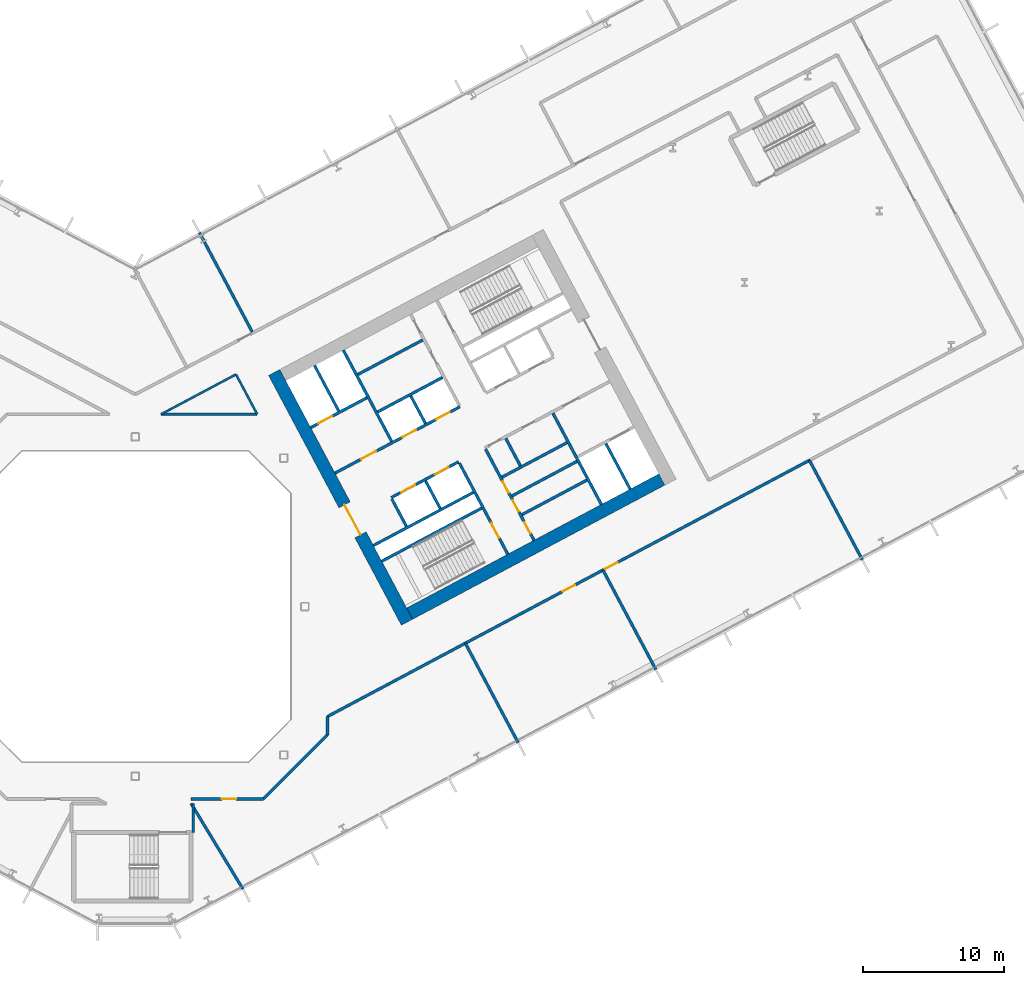
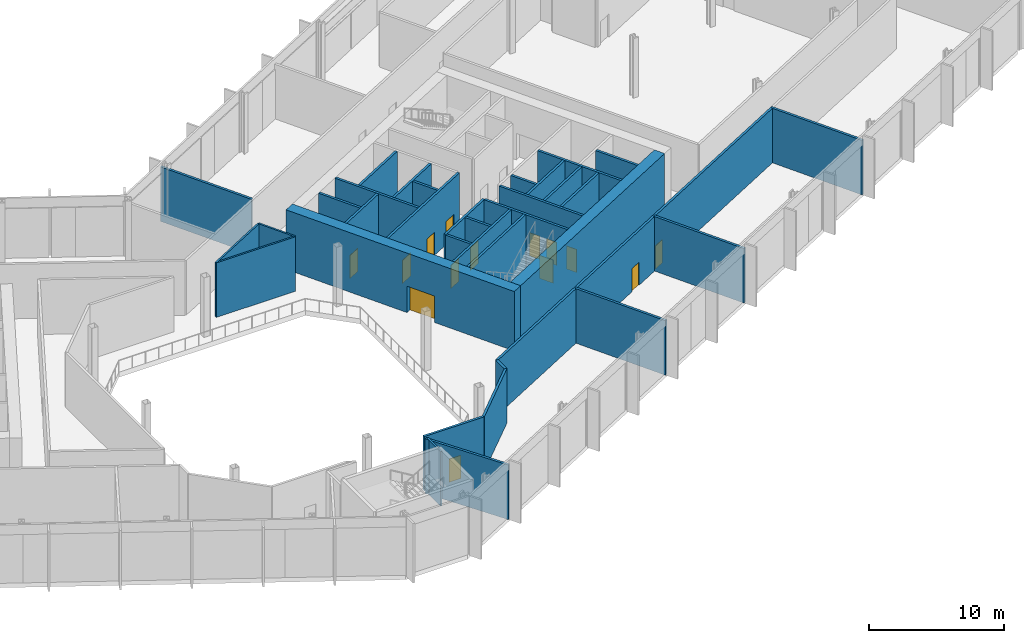
# One storey, part 15 of 31: 35 walls, 14 doors, 14 openings.
"""IFC4 building model written with IfcOpenShell, lengths in metres."""

from ifc_helpers import new_model, si_unit, direction, frame, frame_2d, origin, place, context, subcontext, project, spatial, rectangle, extrude, material, layer, layer_set, type_object, element, fill, save


model = new_model("IFC4")

# Units and contexts
model_context = context("Model", 3, precision=1e-05, world=origin(), true_north=direction((0.0, 1.0)))
body_context = subcontext(model_context, "Body", "Model", "MODEL_VIEW")
ifc_project = project(units=[si_unit("LENGTHUNIT", "METRE"), si_unit("AREAUNIT", "SQUARE_METRE"), si_unit("VOLUMEUNIT", "CUBIC_METRE"), si_unit("PLANEANGLEUNIT", "RADIAN"), si_unit("MASSUNIT", "GRAM", prefix="KILO")], contexts=[model_context])

# Site, building, storey
site_placement = place(None, origin())
site = spatial("IfcSite", under=ifc_project, at=site_placement, CompositionType="ELEMENT")
building_placement = place(site_placement, origin())
building = spatial("IfcBuilding", under=site, at=building_placement, Name="Cormorant Relay Tower", CompositionType="ELEMENT")
storey_placement = place(building_placement, frame((0.0, 0.0, 23.0)))
storey = spatial("IfcBuildingStorey", under=building, at=storey_placement, Name="L04", CompositionType="ELEMENT", Elevation=23.0)

# Walls
ifc_material_1 = material(Name="Concrete 40 MPa", Category="concrete")
ifc_layer_1 = layer(ifc_material_1, 0.199951171875)
ifc_layer_set_1 = layer_set([ifc_layer_1], Name="Core internal wall 200")
wall_type_1 = type_object("IfcWallType", Name="Core internal wall 200", PredefinedType="SOLIDWALL", material=ifc_layer_set_1)
for number, where, z_axis, x_axis, name in (
    (1, (21.567626953125, 6.9375, 0.0), (0.0, 0.0, 1.0), (-0.469533832133, 0.882914480843, 0.0), "L04 core B shaft and room wall"),
    (2, (20.522216796875, 12.950439453125, 0.0), (0.0, 0.0, 1.0), (-0.469401318492, 0.882984938828, 0.0), "L04 core B shaft and room wall"),
    (3, (27.236083984375, 9.951416015625, 0.0), (0.0, 0.0, 1.0), (-0.4694473164, 0.882960484464, 0.0), "L04 core B shaft and room wall"),
):
    element("IfcWall", number, at=place(storey_placement, frame(where, z_axis=z_axis, x_axis=x_axis)), inside=storey, type_object=wall_type_1, Name=name, PredefinedType="SOLIDWALL", context=body_context, shape_type="SweptSolid", body=[
        extrude(rectangle(XDim=2.199951171875, YDim=0.199951171875, at=frame_2d((1.10009765625, 0.0))), origin(), (0.0, 0.0, 1.0), 5.39990234375),
    ])
for number, where, z_axis, x_axis, name in (
    (4, (27.349365234375, 6.500732421875, 0.0), (0.0, 0.0, 1.0), (0.882953967957, 0.469459572775, 0.0), "L04 core B shaft and room wall"),
    (5, (26.645263671875, 7.8251953125, 0.0), (0.0, 0.0, 1.0), (0.882953967957, 0.469459572775, 0.0), "L04 core B shaft and room wall"),
    (6, (15.738525390625, 16.409423828125, 0.0), (0.0, 0.0, 1.0), (0.882934506056, 0.469496174655, 0.0), "L04 core B shaft and room wall"),
):
    element("IfcWall", number, at=place(storey_placement, frame(where, z_axis=z_axis, x_axis=x_axis)), inside=storey, type_object=wall_type_1, Name=name, PredefinedType="SOLIDWALL", context=body_context, shape_type="SweptSolid", body=[
        extrude(rectangle(XDim=5.199951171875, YDim=0.199951171875, at=frame_2d((2.60009765625, 0.0))), origin(), (0.0, 0.0, 1.0), 5.39990234375),
    ])
ifc_material_2 = material(Name="Concrete 50 MPa", Category="concrete")
ifc_layer_2 = layer(ifc_material_2, 0.199951171875)
ifc_layer_set_2 = layer_set([ifc_layer_2], Name="Core shaft wall 200")
wall_type_2 = type_object("IfcWallType", Name="Core shaft wall 200", PredefinedType="SHEAR", material=ifc_layer_set_2)
wall_1_placement = place(storey_placement, frame((14.39404296875, 13.825927734375, 0.0), z_axis=(0.0, 0.0, 1.0), x_axis=(-0.469494272526, 0.882935517501, 0.0)))
element("IfcWall", 7, at=wall_1_placement, inside=storey, type_object=wall_type_2, Name="L04 core B shaft wall", PredefinedType="SHEAR", context=body_context, shape_type="SweptSolid", body=[
    extrude(rectangle(XDim=3.64990234375, YDim=0.199951171875, at=frame_2d((1.824951171875, 0.0))), origin(), (0.0, 0.0, 1.0), 5.39990234375),
])
wall_2_placement = place(storey_placement, frame((19.18359375, 5.669921875, 0.0), z_axis=(0.0, 0.0, 1.0), x_axis=(-0.4694473164, 0.882960484464, 0.0)))
element("IfcWall", 8, at=wall_2_placement, inside=storey, type_object=wall_type_2, Name="L04 core B shaft wall", PredefinedType="SHEAR", context=body_context, shape_type="SweptSolid", body=[
    extrude(rectangle(XDim=2.199951171875, YDim=0.199951171875, at=frame_2d((1.10009765625, 0.0))), origin(), (0.0, 0.0, 1.0), 5.39990234375),
])
wall_3_placement = place(storey_placement, frame((18.138427734375, 11.682861328125, 0.0), z_axis=(0.0, 0.0, 1.0), x_axis=(-0.469480409012, 0.88294288918, 0.0)))
element("IfcWall", 9, at=wall_3_placement, inside=storey, type_object=wall_type_2, Name="L04 core B shaft wall", PredefinedType="SHEAR", context=body_context, shape_type="SweptSolid", body=[
    extrude(rectangle(XDim=7.300048828125, YDim=0.199951171875, at=frame_2d((3.64990234375, 0.0))), origin(), (0.0, 0.0, 1.0), 5.39990234375),
])

# Wall, opening, door
wall_4_placement = place(storey_placement, frame((26.345947265625, 3.701904296875, 0.0), z_axis=(0.0, 0.0, 1.0), x_axis=(-0.469480409012, 0.88294288918, 0.0)))
wall_4 = element("IfcWall", 10, at=wall_4_placement, inside=storey, type_object=wall_type_2, Name="L04 core B shaft wall", PredefinedType="SHEAR", context=body_context, shape_type="SweptSolid", body=[
    extrude(rectangle(XDim=7.300048828125, YDim=0.199951171875, at=frame_2d((3.64990234375, 0.0))), origin(), (0.0, 0.0, 1.0), 5.39990234375),
])
opening_1_placement = place(wall_4_placement, frame((1.300048828125, 0.0, 0.0)))
opening_1 = element("IfcOpeningElement", 11, at=opening_1_placement, cuts=wall_4, Name="Opening CDB-021", PredefinedType="OPENING", context=body_context, shape_type="SweptSolid", body=[
    extrude(rectangle(XDim=1.199951171875, YDim=2.10009765625, at=frame_2d((0.60009765625, 1.050048828125))), frame((0.0, 0.10986328125, 0.0), z_axis=(0.0, -1.0, 0.0), x_axis=(1.0, 0.0, 0.0)), (0.0, 0.0, 1.0), 0.219970703125),
])
ifc_material_3 = material(Name="Steel fire door", Category="steel")
door_type_1 = type_object("IfcDoorType", Name="Core stair door 1200x2100", OperationType="SINGLE_SWING_LEFT", PredefinedType="DOOR", material=ifc_material_3)
door_1_placement = place(opening_1_placement, origin())
door_1 = element("IfcDoor", 12, at=door_1_placement, inside=storey, type_object=door_type_1, Name="Core stair door 1200x2100", OperationType="SINGLE_SWING_RIGHT", OverallHeight=2.10009765625, OverallWidth=1.199951171875, PredefinedType="DOOR", context=body_context, shape_type="SweptSolid", body=[
    extrude(rectangle(XDim=1.199951171875, YDim=2.10009765625, at=frame_2d((0.60009765625, 1.050048828125))), frame((0.0, 0.02490234375, 0.0), z_axis=(0.0, -1.0, 0.0), x_axis=(1.0, 0.0, 0.0)), (0.0, 0.0, 1.0), 0.050048828125),
])
fill(opening_1, door_1)

# Wall, openings, doors
wall_5_placement = place(storey_placement, frame((28.199951171875, 4.687744140625, 0.0), z_axis=(0.0, 0.0, 1.0), x_axis=(-0.469454336211, 0.882956752176, 0.0)))
wall_5 = element("IfcWall", 13, at=wall_5_placement, inside=storey, type_object=wall_type_2, Name="L04 core B shaft wall", PredefinedType="SHEAR", context=body_context, shape_type="SweptSolid", body=[
    extrude(rectangle(XDim=7.300048828125, YDim=0.199951171875, at=frame_2d((3.64990234375, 0.0))), origin(), (0.0, 0.0, 1.0), 5.39990234375),
])
opening_2_placement = place(wall_5_placement, frame((0.550048828125, 0.0, 0.0)))
opening_2 = element("IfcOpeningElement", 14, at=opening_2_placement, cuts=wall_5, Name="Opening CDD-078", PredefinedType="OPENING", context=body_context, shape_type="SweptSolid", body=[
    extrude(rectangle(XDim=0.89990234375, YDim=2.10009765625, at=frame_2d((0.449951171875, 1.050048828125))), frame((0.0, 0.10986328125, 0.0), z_axis=(0.0, -1.0, 0.0), x_axis=(1.0, 0.0, 0.0)), (0.0, 0.0, 1.0), 0.219970703125),
])
opening_3_placement = place(wall_5_placement, frame((2.300048828125, 0.0, 0.0)))
opening_3 = element("IfcOpeningElement", 15, at=opening_3_placement, cuts=wall_5, Name="Opening CDD-079", PredefinedType="OPENING", context=body_context, shape_type="SweptSolid", body=[
    extrude(rectangle(XDim=0.89990234375, YDim=2.10009765625, at=frame_2d((0.449951171875, 1.050048828125))), frame((0.0, 0.10986328125, 0.0), z_axis=(0.0, -1.0, 0.0), x_axis=(1.0, 0.0, 0.0)), (0.0, 0.0, 1.0), 0.219970703125),
])
opening_4_placement = place(wall_5_placement, frame((3.800048828125, 0.0, 0.0)))
opening_4 = element("IfcOpeningElement", 16, at=opening_4_placement, cuts=wall_5, Name="Opening CDD-080", PredefinedType="OPENING", context=body_context, shape_type="SweptSolid", body=[
    extrude(rectangle(XDim=0.89990234375, YDim=2.10009765625, at=frame_2d((0.449951171875, 1.050048828125))), frame((0.0, 0.10986328125, 0.0), z_axis=(0.0, -1.0, 0.0), x_axis=(1.0, 0.0, 0.0)), (0.0, 0.0, 1.0), 0.219970703125),
])
ifc_material_4 = material(Name="Steel fire door", Category="steel")
door_type_2 = type_object("IfcDoorType", Name="Core room door 900x2100", OperationType="SINGLE_SWING_LEFT", PredefinedType="DOOR", material=ifc_material_4)
door_2_placement = place(opening_2_placement, frame((0.89990234375, 0.0, 0.0), z_axis=(0.0, 0.0, 1.0), x_axis=(-1.0, 0.0, 0.0)))
door_2 = element("IfcDoor", 17, at=door_2_placement, inside=storey, type_object=door_type_2, Name="Core room door 900x2100", OperationType="SINGLE_SWING_LEFT", OverallHeight=2.10009765625, OverallWidth=0.89990234375, PredefinedType="DOOR", context=body_context, shape_type="SweptSolid", body=[
    extrude(rectangle(XDim=0.89990234375, YDim=2.10009765625, at=frame_2d((0.449951171875, 1.050048828125))), frame((0.0, 0.02490234375, 0.0), z_axis=(0.0, -1.0, 0.0), x_axis=(1.0, 0.0, 0.0)), (0.0, 0.0, 1.0), 0.050048828125),
])
fill(opening_2, door_2)
door_3_placement = place(opening_3_placement, frame((0.89990234375, 0.0, 0.0), z_axis=(0.0, 0.0, 1.0), x_axis=(-1.0, 0.0, 0.0)))
door_3 = element("IfcDoor", 18, at=door_3_placement, inside=storey, type_object=door_type_2, Name="Core room door 900x2100", OperationType="SINGLE_SWING_LEFT", OverallHeight=2.10009765625, OverallWidth=0.89990234375, PredefinedType="DOOR", context=body_context, shape_type="SweptSolid", body=[
    extrude(rectangle(XDim=0.89990234375, YDim=2.10009765625, at=frame_2d((0.449951171875, 1.050048828125))), frame((0.0, 0.02490234375, 0.0), z_axis=(0.0, -1.0, 0.0), x_axis=(1.0, 0.0, 0.0)), (0.0, 0.0, 1.0), 0.050048828125),
])
fill(opening_3, door_3)
door_4_placement = place(opening_4_placement, frame((0.89990234375, 0.0, 0.0), z_axis=(0.0, 0.0, 1.0), x_axis=(-1.0, 0.0, 0.0)))
door_4 = element("IfcDoor", 19, at=door_4_placement, inside=storey, type_object=door_type_2, Name="Core room door 900x2100", OperationType="SINGLE_SWING_LEFT", OverallHeight=2.10009765625, OverallWidth=0.89990234375, PredefinedType="DOOR", context=body_context, shape_type="SweptSolid", body=[
    extrude(rectangle(XDim=0.89990234375, YDim=2.10009765625, at=frame_2d((0.449951171875, 1.050048828125))), frame((0.0, 0.02490234375, 0.0), z_axis=(0.0, -1.0, 0.0), x_axis=(1.0, 0.0, 0.0)), (0.0, 0.0, 1.0), 0.050048828125),
])
fill(opening_4, door_4)

# Walls
wall_6_placement = place(storey_placement, frame((32.968017578125, 7.222900390625, 0.0), z_axis=(0.0, 0.0, 1.0), x_axis=(-0.469480409012, 0.88294288918, 0.0)))
element("IfcWall", 20, at=wall_6_placement, inside=storey, type_object=wall_type_2, Name="L04 core B shaft wall", PredefinedType="SHEAR", context=body_context, shape_type="SweptSolid", body=[
    extrude(rectangle(XDim=7.300048828125, YDim=0.199951171875, at=frame_2d((3.64990234375, 0.0))), origin(), (0.0, 0.0, 1.0), 5.39990234375),
])
wall_7_placement = place(storey_placement, frame((34.998779296875, 8.302734375, 0.0), z_axis=(0.0, 0.0, 1.0), x_axis=(-0.4694665462, 0.882950260207, 0.0)))
element("IfcWall", 21, at=wall_7_placement, inside=storey, type_object=wall_type_2, Name="L04 core B shaft wall", PredefinedType="SHEAR", context=body_context, shape_type="SweptSolid", body=[
    extrude(rectangle(XDim=3.650146484375, YDim=0.199951171875, at=frame_2d((1.8251953125, 0.0))), origin(), (0.0, 0.0, 1.0), 5.39990234375),
])
for number, where, z_axis, x_axis, name in (
    (22, (17.43359375, 3.210205078125, 0.0), (0.0, 0.0, 1.0), (0.882940221191, 0.469485426614, 0.0), "L04 core B shaft wall"),
    (23, (16.8466796875, 4.31396484375, 0.0), (0.0, 0.0, 1.0), (0.882940221191, 0.469485426614, 0.0), "L04 core B shaft wall"),
):
    element("IfcWall", number, at=place(storey_placement, frame(where, z_axis=z_axis, x_axis=x_axis)), inside=storey, type_object=wall_type_2, Name=name, PredefinedType="SHEAR", context=body_context, shape_type="SweptSolid", body=[
        extrude(rectangle(XDim=8.0, YDim=0.199951171875, at=frame_2d((4.0, 0.0))), origin(), (0.0, 0.0, 1.0), 5.39990234375),
    ])
wall_8_placement = place(storey_placement, frame((25.94091796875, 9.149658203125, 0.0), z_axis=(0.0, 0.0, 1.0), x_axis=(0.882953967957, 0.469459572775, 0.0)))
element("IfcWall", 24, at=wall_8_placement, inside=storey, type_object=wall_type_2, Name="L04 core B shaft wall", PredefinedType="SHEAR", context=body_context, shape_type="SweptSolid", body=[
    extrude(rectangle(XDim=5.199951171875, YDim=0.199951171875, at=frame_2d((2.60009765625, 0.0))), origin(), (0.0, 0.0, 1.0), 5.39990234375),
])

# Wall, openings, doors
wall_9_placement = place(storey_placement, frame((18.103759765625, 7.70068359375, 0.0), z_axis=(0.0, 0.0, 1.0), x_axis=(0.882952937579, 0.469461510692, 0.0)))
wall_9 = element("IfcWall", 25, at=wall_9_placement, inside=storey, type_object=wall_type_2, Name="L04 core B shaft wall", PredefinedType="SHEAR", context=body_context, shape_type="SweptSolid", body=[
    extrude(rectangle(XDim=5.400146484375, YDim=0.199951171875, at=frame_2d((2.7001953125, 0.0))), origin(), (0.0, 0.0, 1.0), 5.39990234375),
])
opening_5_placement = place(wall_9_placement, frame((0.800048828125, 0.0, 0.0)))
opening_5 = element("IfcOpeningElement", 26, at=opening_5_placement, cuts=wall_9, Name="Opening LD1-024", PredefinedType="OPENING", context=body_context, shape_type="SweptSolid", body=[
    extrude(rectangle(XDim=1.10009765625, YDim=2.10009765625, at=frame_2d((0.550048828125, 1.050048828125))), frame((0.0, 0.10986328125, 0.0), z_axis=(0.0, -1.0, 0.0), x_axis=(1.0, 0.0, 0.0)), (0.0, 0.0, 1.0), 0.219970703125),
])
opening_6_placement = place(wall_9_placement, frame((3.5, 0.0, 0.0)))
opening_6 = element("IfcOpeningElement", 27, at=opening_6_placement, cuts=wall_9, Name="Opening LD1-025", PredefinedType="OPENING", context=body_context, shape_type="SweptSolid", body=[
    extrude(rectangle(XDim=1.10009765625, YDim=2.10009765625, at=frame_2d((0.550048828125, 1.050048828125))), frame((0.0, 0.10986328125, 0.0), z_axis=(0.0, -1.0, 0.0), x_axis=(1.0, 0.0, 0.0)), (0.0, 0.0, 1.0), 0.219970703125),
])
ifc_material_5 = material(Name="Stainless steel 316", Category="steel")
door_type_3 = type_object("IfcDoorType", Name="Lift landing door 1100x2100", OperationType="DOUBLE_DOOR_SLIDING", PredefinedType="DOOR", material=ifc_material_5)
door_5_placement = place(opening_5_placement, origin())
door_5 = element("IfcDoor", 28, at=door_5_placement, inside=storey, type_object=door_type_3, Name="LR5 landing door", OperationType="DOUBLE_DOOR_SLIDING", OverallHeight=2.10009765625, OverallWidth=1.10009765625, PredefinedType="DOOR", context=body_context, shape_type="SweptSolid", body=[
    extrude(rectangle(XDim=1.10009765625, YDim=2.10009765625, at=frame_2d((0.550048828125, 1.050048828125))), frame((0.0, 0.02490234375, 0.0), z_axis=(0.0, -1.0, 0.0), x_axis=(1.0, 0.0, 0.0)), (0.0, 0.0, 1.0), 0.050048828125),
])
fill(opening_5, door_5)
door_6_placement = place(opening_6_placement, origin())
door_6 = element("IfcDoor", 29, at=door_6_placement, inside=storey, type_object=door_type_3, Name="LR6 landing door", OperationType="DOUBLE_DOOR_SLIDING", OverallHeight=2.10009765625, OverallWidth=1.10009765625, PredefinedType="DOOR", context=body_context, shape_type="SweptSolid", body=[
    extrude(rectangle(XDim=1.10009765625, YDim=2.10009765625, at=frame_2d((0.550048828125, 1.050048828125))), frame((0.0, 0.02490234375, 0.0), z_axis=(0.0, -1.0, 0.0), x_axis=(1.0, 0.0, 0.0)), (0.0, 0.0, 1.0), 0.050048828125),
])
fill(opening_6, door_6)

wall_10_placement = place(storey_placement, frame((14.123779296875, 9.43505859375, 0.0), z_axis=(0.0, 0.0, 1.0), x_axis=(0.882940221191, 0.469485426614, 0.0)))
wall_10 = element("IfcWall", 30, at=wall_10_placement, inside=storey, type_object=wall_type_2, Name="L04 core B shaft wall", PredefinedType="SHEAR", context=body_context, shape_type="SweptSolid", body=[
    extrude(rectangle(XDim=10.0, YDim=0.199951171875, at=frame_2d((5.0, 0.0))), origin(), (0.0, 0.0, 1.0), 5.39990234375),
])
opening_7_placement = place(wall_10_placement, frame((2.10009765625, 0.0, 0.0)))
opening_7 = element("IfcOpeningElement", 31, at=opening_7_placement, cuts=wall_10, Name="Opening CDC-015", PredefinedType="OPENING", context=body_context, shape_type="SweptSolid", body=[
    extrude(rectangle(XDim=1.199951171875, YDim=2.10009765625, at=frame_2d((0.60009765625, 1.050048828125))), frame((0.0, 0.10986328125, 0.0), z_axis=(0.0, -1.0, 0.0), x_axis=(1.0, 0.0, 0.0)), (0.0, 0.0, 1.0), 0.219970703125),
])
opening_8_placement = place(wall_10_placement, frame((5.39990234375, 0.0, 0.0)))
opening_8 = element("IfcOpeningElement", 32, at=opening_8_placement, cuts=wall_10, Name="Opening LD1-020", PredefinedType="OPENING", context=body_context, shape_type="SweptSolid", body=[
    extrude(rectangle(XDim=1.10009765625, YDim=2.10009765625, at=frame_2d((0.550048828125, 1.050048828125))), frame((0.0, 0.10986328125, 0.0), z_axis=(0.0, -1.0, 0.0), x_axis=(1.0, 0.0, 0.0)), (0.0, 0.0, 1.0), 0.219970703125),
])
opening_9_placement = place(wall_10_placement, frame((8.10009765625, 0.0, 0.0)))
opening_9 = element("IfcOpeningElement", 33, at=opening_9_placement, cuts=wall_10, Name="Opening LD1-021", PredefinedType="OPENING", context=body_context, shape_type="SweptSolid", body=[
    extrude(rectangle(XDim=1.10009765625, YDim=2.10009765625, at=frame_2d((0.550048828125, 1.050048828125))), frame((0.0, 0.10986328125, 0.0), z_axis=(0.0, -1.0, 0.0), x_axis=(1.0, 0.0, 0.0)), (0.0, 0.0, 1.0), 0.219970703125),
])
ifc_material_6 = material(Name="Steel fire door", Category="steel")
door_type_4 = type_object("IfcDoorType", Name="Core lobby door 1200x2100", OperationType="SINGLE_SWING_LEFT", PredefinedType="DOOR", material=ifc_material_6)
door_7_placement = place(opening_7_placement, origin())
door_7 = element("IfcDoor", 34, at=door_7_placement, inside=storey, type_object=door_type_4, Name="Core lobby door 1200x2100", OperationType="SINGLE_SWING_RIGHT", OverallHeight=2.10009765625, OverallWidth=1.199951171875, PredefinedType="DOOR", context=body_context, shape_type="SweptSolid", body=[
    extrude(rectangle(XDim=1.199951171875, YDim=2.10009765625, at=frame_2d((0.60009765625, 1.050048828125))), frame((0.0, 0.02490234375, 0.0), z_axis=(0.0, -1.0, 0.0), x_axis=(1.0, 0.0, 0.0)), (0.0, 0.0, 1.0), 0.050048828125),
])
fill(opening_7, door_7)
door_8_placement = place(opening_8_placement, origin())
door_8 = element("IfcDoor", 35, at=door_8_placement, inside=storey, type_object=door_type_3, Name="LR1 landing door", OperationType="DOUBLE_DOOR_SLIDING", OverallHeight=2.10009765625, OverallWidth=1.10009765625, PredefinedType="DOOR", context=body_context, shape_type="SweptSolid", body=[
    extrude(rectangle(XDim=1.10009765625, YDim=2.10009765625, at=frame_2d((0.550048828125, 1.050048828125))), frame((0.0, 0.02490234375, 0.0), z_axis=(0.0, -1.0, 0.0), x_axis=(1.0, 0.0, 0.0)), (0.0, 0.0, 1.0), 0.050048828125),
])
fill(opening_8, door_8)
door_9_placement = place(opening_9_placement, origin())
door_9 = element("IfcDoor", 36, at=door_9_placement, inside=storey, type_object=door_type_3, Name="LR2 landing door", OperationType="DOUBLE_DOOR_SLIDING", OverallHeight=2.10009765625, OverallWidth=1.10009765625, PredefinedType="DOOR", context=body_context, shape_type="SweptSolid", body=[
    extrude(rectangle(XDim=1.10009765625, YDim=2.10009765625, at=frame_2d((0.550048828125, 1.050048828125))), frame((0.0, 0.02490234375, 0.0), z_axis=(0.0, -1.0, 0.0), x_axis=(1.0, 0.0, 0.0)), (0.0, 0.0, 1.0), 0.050048828125),
])
fill(opening_9, door_9)

# Wall
wall_11_placement = place(storey_placement, frame((17.146728515625, 13.7607421875, 0.0), z_axis=(0.0, 0.0, 1.0), x_axis=(0.882964314875, 0.469440111896, 0.0)))
element("IfcWall", 37, at=wall_11_placement, inside=storey, type_object=wall_type_2, Name="L04 core B shaft wall", PredefinedType="SHEAR", context=body_context, shape_type="SweptSolid", body=[
    extrude(rectangle(XDim=5.2001953125, YDim=0.199951171875, at=frame_2d((2.60009765625, 0.0))), origin(), (0.0, 0.0, 1.0), 5.39990234375),
])

# Wall, opening, door
wall_12_placement = place(storey_placement, frame((12.41015625, 12.657958984375, 0.0), z_axis=(0.0, 0.0, 1.0), x_axis=(0.8829484765, 0.469469900894, 0.0)))
wall_12 = element("IfcWall", 38, at=wall_12_placement, inside=storey, type_object=wall_type_2, Name="L04 core B shaft wall", PredefinedType="SHEAR", context=body_context, shape_type="SweptSolid", body=[
    extrude(rectangle(XDim=4.499755859375, YDim=0.199951171875, at=frame_2d((2.25, 0.0))), origin(), (0.0, 0.0, 1.0), 5.39990234375),
])
opening_10_placement = place(wall_12_placement, frame((0.60009765625, 0.0, 0.0)))
opening_10 = element("IfcOpeningElement", 39, at=opening_10_placement, cuts=wall_12, Name="Opening LD1-026", PredefinedType="OPENING", context=body_context, shape_type="SweptSolid", body=[
    extrude(rectangle(XDim=1.10009765625, YDim=2.10009765625, at=frame_2d((0.550048828125, 1.050048828125))), frame((0.0, 0.10986328125, 0.0), z_axis=(0.0, -1.0, 0.0), x_axis=(1.0, 0.0, 0.0)), (0.0, 0.0, 1.0), 0.219970703125),
])
door_10_placement = place(opening_10_placement, origin())
door_10 = element("IfcDoor", 40, at=door_10_placement, inside=storey, type_object=door_type_3, Name="FF2 landing door", OperationType="DOUBLE_DOOR_SLIDING", OverallHeight=2.10009765625, OverallWidth=1.10009765625, PredefinedType="DOOR", context=body_context, shape_type="SweptSolid", body=[
    extrude(rectangle(XDim=1.10009765625, YDim=2.10009765625, at=frame_2d((0.550048828125, 1.050048828125))), frame((0.0, 0.02490234375, 0.0), z_axis=(0.0, -1.0, 0.0), x_axis=(1.0, 0.0, 0.0)), (0.0, 0.0, 1.0), 0.050048828125),
])
fill(opening_10, door_10)

ifc_material_7 = material(Name="Concrete 70 MPa", Category="concrete")
ifc_layer_3 = layer(ifc_material_7, 0.89990234375)
ifc_layer_set_3 = layer_set([ifc_layer_3], Name="Core wall 900")
wall_type_3 = type_object("IfcWallType", Name="Core wall 900", PredefinedType="SHEAR", material=ifc_layer_set_3)
wall_13_placement = place(storey_placement, frame((19.21923828125, -1.106689453125, 0.0), z_axis=(0.0, 0.0, 1.0), x_axis=(-0.46947084998, 0.882947971864, 0.0)))
wall_13 = element("IfcWall", 41, at=wall_13_placement, inside=storey, type_object=wall_type_3, Name="L04 core B wall", PredefinedType="SHEAR", context=body_context, shape_type="SweptSolid", body=[
    extrude(rectangle(XDim=20.0, YDim=0.89990234375, at=frame_2d((10.0, 0.0))), origin(), (0.0, 0.0, 1.0), 5.39990234375),
])
opening_11_placement = place(wall_13_placement, frame((7.0, 0.0, 0.0)))
opening_11 = element("IfcOpeningElement", 42, at=opening_11_placement, cuts=wall_13, Name="Opening CDA-015", PredefinedType="OPENING", context=body_context, shape_type="SweptSolid", body=[
    extrude(rectangle(XDim=2.39990234375, YDim=2.39990234375, at=frame_2d((1.199951171875, 1.199951171875))), frame((0.0, 0.4599609375, 0.0), z_axis=(0.0, -1.0, 0.0), x_axis=(1.0, 0.0, 0.0)), (0.0, 0.0, 1.0), 0.919921875),
])
ifc_material_8 = material(Name="Steel fire door", Category="steel")
door_type_5 = type_object("IfcDoorType", Name="Core lobby door 2400x2400", OperationType="DOUBLE_DOOR_SINGLE_SWING", PredefinedType="DOOR", material=ifc_material_8)
door_11_placement = place(opening_11_placement, frame((2.39990234375, 0.0, 0.0), z_axis=(0.0, 0.0, 1.0), x_axis=(-1.0, 0.0, 0.0)))
door_11 = element("IfcDoor", 43, at=door_11_placement, inside=storey, type_object=door_type_5, Name="Core lobby door 2400x2400", OperationType="DOUBLE_DOOR_SINGLE_SWING", OverallHeight=2.39990234375, OverallWidth=2.39990234375, PredefinedType="DOOR", context=body_context, shape_type="SweptSolid", body=[
    extrude(rectangle(XDim=2.39990234375, YDim=2.39990234375, at=frame_2d((1.199951171875, 1.199951171875))), frame((0.0, 0.02490234375, 0.0), z_axis=(0.0, -1.0, 0.0), x_axis=(1.0, 0.0, 0.0)), (0.0, 0.0, 1.0), 0.050048828125),
])
fill(opening_11, door_11)

# Walls
wall_14_placement = place(storey_placement, frame((19.4052734375, -0.498046875, 0.0), z_axis=(0.0, 0.0, 1.0), x_axis=(0.88294509198, 0.469476266226, 0.0)))
element("IfcWall", 44, at=wall_14_placement, inside=storey, type_object=wall_type_3, Name="L04 core B wall", PredefinedType="SHEAR", context=body_context, shape_type="SweptSolid", body=[
    extrude(rectangle(XDim=20.199951171875, YDim=0.89990234375, at=frame_2d((10.10009765625, 0.0))), origin(), (0.0, 0.0, 1.0), 5.39990234375),
])
ifc_material_9 = material(Name="Fire-rated gypsum board partition")
ifc_layer_4 = layer(ifc_material_9, 0.199951171875)
ifc_layer_set_4 = layer_set([ifc_layer_4], Name="Fire-rated gypsum partition 200")
wall_type_4 = type_object("IfcWallType", Name="Fire-rated gypsum partition 200", PredefinedType="PARTITIONING", material=ifc_layer_set_4)
wall_15_placement = place(storey_placement, frame((4.549072265625, 26.428955078125, 0.0), z_axis=(0.0, 0.0, 1.0), x_axis=(0.469456091969, -0.882955818664, 0.0)))
element("IfcWall", 45, at=wall_15_placement, inside=storey, type_object=wall_type_4, Name="wall/L04/part/44", PredefinedType="PARTITIONING", context=body_context, shape_type="SweptSolid", body=[
    extrude(rectangle(XDim=7.949462890625, YDim=0.199951171875, at=frame_2d((3.974609375, 0.0))), origin(), (0.0, 0.0, 1.0), 4.949951171875),
])
wall_16_placement = place(storey_placement, frame((13.60009765625, -7.781982421875, 0.0), z_axis=(0.0, 0.0, 1.0), x_axis=(0.0, -1.0, 0.0)))
element("IfcWall", 46, at=wall_16_placement, inside=storey, type_object=wall_type_4, Name="wall/L04/part/46", PredefinedType="PARTITIONING", context=body_context, shape_type="SweptSolid", body=[
    extrude(rectangle(XDim=1.294921875, YDim=0.199951171875, at=frame_2d((0.6474609375, 0.0))), origin(), (0.0, 0.0, 1.0), 4.949951171875),
])
wall_17_placement = place(storey_placement, frame((13.60009765625, -9.076904296875, 0.0), z_axis=(0.0, 0.0, 1.0), x_axis=(-0.707106781187, -0.707106781187, 0.0)))
element("IfcWall", 47, at=wall_17_placement, inside=storey, type_object=wall_type_4, Name="wall/L04/part/47", PredefinedType="PARTITIONING", context=body_context, shape_type="SweptSolid", body=[
    extrude(rectangle(XDim=6.396728515625, YDim=0.199951171875, at=frame_2d((3.1982421875, 0.0))), origin(), (0.0, 0.0, 1.0), 4.949951171875),
])

# Wall, opening, door
wall_18_placement = place(storey_placement, frame((9.076904296875, -13.60009765625, 0.0), z_axis=(0.0, 0.0, 1.0), x_axis=(-1.0, 0.0, 0.0)))
wall_18 = element("IfcWall", 48, at=wall_18_placement, inside=storey, type_object=wall_type_4, Name="wall/L04/part/48", PredefinedType="PARTITIONING", context=body_context, shape_type="SweptSolid", body=[
    extrude(rectangle(XDim=5.126953125, YDim=0.199951171875, at=frame_2d((2.5634765625, 0.0))), origin(), (0.0, 0.0, 1.0), 4.949951171875),
])
opening_12_placement = place(wall_18_placement, frame((1.949951171875, 0.0, 0.0)))
opening_12 = element("IfcOpeningElement", 49, at=opening_12_placement, cuts=wall_18, Name="Opening FD1-022", PredefinedType="OPENING", context=body_context, shape_type="SweptSolid", body=[
    extrude(rectangle(XDim=1.0, YDim=2.10009765625, at=frame_2d((0.5, 1.050048828125))), frame((0.0, 0.10986328125, 0.0), z_axis=(0.0, -1.0, 0.0), x_axis=(1.0, 0.0, 0.0)), (0.0, 0.0, 1.0), 0.219970703125),
])
ifc_material_10 = material(Name="Fire-rated steel door", Category="steel")
door_type_6 = type_object("IfcDoorType", Name="Fire door 1000 x 2100", OperationType="SINGLE_SWING_LEFT", PredefinedType="DOOR", material=ifc_material_10)
door_12_placement = place(opening_12_placement, origin())
door_12 = element("IfcDoor", 50, at=door_12_placement, inside=storey, type_object=door_type_6, Name="door/L04/3", OperationType="SINGLE_SWING_RIGHT", OverallHeight=2.10009765625, OverallWidth=1.0, PredefinedType="DOOR", context=body_context, shape_type="SweptSolid", body=[
    extrude(rectangle(XDim=1.0, YDim=2.10009765625, at=frame_2d((0.5, 1.050048828125))), frame((0.0, 0.02490234375, 0.0), z_axis=(0.0, -1.0, 0.0), x_axis=(1.0, 0.0, 0.0)), (0.0, 0.0, 1.0), 0.050048828125),
])
fill(opening_12, door_12)

# Walls
wall_19_placement = place(storey_placement, frame((7.60888671875, -19.965087890625, 0.0), z_axis=(0.0, 0.0, 1.0), x_axis=(-0.518126246201, 0.855304152333, 0.0)))
element("IfcWall", 51, at=wall_19_placement, inside=storey, type_object=wall_type_4, Name="wall/L04/part/49", PredefinedType="PARTITIONING", context=body_context, shape_type="SweptSolid", body=[
    extrude(rectangle(XDim=7.061767578125, YDim=0.199951171875, at=frame_2d((3.53076171875, 0.0))), origin(), (0.0, 0.0, 1.0), 4.949951171875),
])
wall_20_placement = place(storey_placement, frame((23.343994140625, -2.594970703125, 0.0), z_axis=(0.0, 0.0, 1.0), x_axis=(0.469456091969, -0.882955818664, 0.0)))
element("IfcWall", 52, at=wall_20_placement, inside=storey, type_object=wall_type_4, Name="wall/L04/part/51", PredefinedType="PARTITIONING", context=body_context, shape_type="SweptSolid", body=[
    extrude(rectangle(XDim=7.949462890625, YDim=0.199951171875, at=frame_2d((3.974609375, 0.0))), origin(), (0.0, 0.0, 1.0), 4.949951171875),
])

# Wall, openings, doors
wall_21_placement = place(storey_placement, frame((47.736083984375, 10.375, 0.0), z_axis=(0.0, 0.0, 1.0), x_axis=(-0.882953206174, -0.469461005524, 0.0)))
wall_21 = element("IfcWall", 53, at=wall_21_placement, inside=storey, type_object=wall_type_4, Name="wall/L04/part/52", PredefinedType="PARTITIONING", context=body_context, shape_type="SweptSolid", body=[
    extrude(rectangle(XDim=38.6611328125, YDim=0.199951171875, at=frame_2d((19.33056640625, 0.0))), origin(), (0.0, 0.0, 1.0), 4.949951171875),
])
opening_13_placement = place(wall_21_placement, frame((18.85009765625, 0.0, 0.0)))
opening_13 = element("IfcOpeningElement", 54, at=opening_13_placement, cuts=wall_21, Name="Opening FD1-023", PredefinedType="OPENING", context=body_context, shape_type="SweptSolid", body=[
    extrude(rectangle(XDim=1.0, YDim=2.10009765625, at=frame_2d((0.5, 1.050048828125))), frame((0.0, 0.10986328125, 0.0), z_axis=(0.0, -1.0, 0.0), x_axis=(1.0, 0.0, 0.0)), (0.0, 0.0, 1.0), 0.219970703125),
])
opening_14_placement = place(wall_21_placement, frame((15.449951171875, 0.0, 0.0)))
opening_14 = element("IfcOpeningElement", 55, at=opening_14_placement, cuts=wall_21, Name="Opening FD1-024", PredefinedType="OPENING", context=body_context, shape_type="SweptSolid", body=[
    extrude(rectangle(XDim=1.0, YDim=2.10009765625, at=frame_2d((0.5, 1.050048828125))), frame((0.0, 0.10986328125, 0.0), z_axis=(0.0, -1.0, 0.0), x_axis=(1.0, 0.0, 0.0)), (0.0, 0.0, 1.0), 0.219970703125),
])
door_13_placement = place(opening_13_placement, origin())
door_13 = element("IfcDoor", 56, at=door_13_placement, inside=storey, type_object=door_type_6, Name="door/L04/4", OperationType="SINGLE_SWING_RIGHT", OverallHeight=2.10009765625, OverallWidth=1.0, PredefinedType="DOOR", context=body_context, shape_type="SweptSolid", body=[
    extrude(rectangle(XDim=1.0, YDim=2.10009765625, at=frame_2d((0.5, 1.050048828125))), frame((0.0, 0.02490234375, 0.0), z_axis=(0.0, -1.0, 0.0), x_axis=(1.0, 0.0, 0.0)), (0.0, 0.0, 1.0), 0.050048828125),
])
fill(opening_13, door_13)
door_14_placement = place(opening_14_placement, origin())
door_14 = element("IfcDoor", 57, at=door_14_placement, inside=storey, type_object=door_type_6, Name="door/L04/5", OperationType="SINGLE_SWING_RIGHT", OverallHeight=2.10009765625, OverallWidth=1.0, PredefinedType="DOOR", context=body_context, shape_type="SweptSolid", body=[
    extrude(rectangle(XDim=1.0, YDim=2.10009765625, at=frame_2d((0.5, 1.050048828125))), frame((0.0, 0.02490234375, 0.0), z_axis=(0.0, -1.0, 0.0), x_axis=(1.0, 0.0, 0.0)), (0.0, 0.0, 1.0), 0.050048828125),
])
fill(opening_14, door_14)

# Walls
wall_22_placement = place(storey_placement, frame((36.80908203125, -4.43896484375, 0.0), z_axis=(0.0, 0.0, 1.0), x_axis=(-0.46942911731, 0.88297016021, 0.0)))
element("IfcWall", 58, at=wall_22_placement, inside=storey, type_object=wall_type_4, Name="wall/L04/part/55", PredefinedType="PARTITIONING", context=body_context, shape_type="SweptSolid", body=[
    extrude(rectangle(XDim=7.950439453125, YDim=0.199951171875, at=frame_2d((3.97509765625, 0.0))), origin(), (0.0, 0.0, 1.0), 4.949951171875),
])
wall_23_placement = place(storey_placement, frame((47.677001953125, 10.343994140625, 0.0), z_axis=(0.0, 0.0, 1.0), x_axis=(0.46930940005, -0.883033797215, 0.0)))
element("IfcWall", 59, at=wall_23_placement, inside=storey, type_object=wall_type_4, Name="wall/L04/part/56", PredefinedType="PARTITIONING", context=body_context, shape_type="SweptSolid", body=[
    extrude(rectangle(XDim=7.949951171875, YDim=0.199951171875, at=frame_2d((3.97509765625, 0.0))), origin(), (0.0, 0.0, 1.0), 4.949951171875),
])
ifc_material_11 = material(Name="Gypsum board partition")
ifc_layer_5 = layer(ifc_material_11, 0.14990234375)
ifc_layer_set_5 = layer_set([ifc_layer_5], Name="Gypsum board partition 150")
wall_type_5 = type_object("IfcWallType", Name="Gypsum board partition 150", PredefinedType="PARTITIONING", material=ifc_layer_set_5)
wall_24_placement = place(storey_placement, frame((4.10009765625, -13.925048828125, 0.0), z_axis=(0.0, 0.0, 1.0), x_axis=(0.0, -1.0, 0.0)))
element("IfcWall", 60, at=wall_24_placement, inside=storey, type_object=wall_type_5, Name="wall/L04/part/45", PredefinedType="PARTITIONING", context=body_context, shape_type="SweptSolid", body=[
    extrude(rectangle(XDim=2.050048828125, YDim=0.14990234375, at=frame_2d((1.02490234375, 0.0))), origin(), (0.0, 0.0, 1.0), 4.949951171875),
])
wall_25_placement = place(storey_placement, frame((1.827880859375, 13.60009765625, 0.0), z_axis=(0.0, 0.0, 1.0), x_axis=(1.0, 0.0, 0.0)))
element("IfcWall", 61, at=wall_25_placement, inside=storey, type_object=wall_type_5, Name="wall/L04/part/81", PredefinedType="PARTITIONING", context=body_context, shape_type="SweptSolid", body=[
    extrude(rectangle(XDim=6.797119140625, YDim=0.14990234375, at=frame_2d((3.3984375, 0.0))), origin(), (0.0, 0.0, 1.0), 4.949951171875),
])
wall_26_placement = place(storey_placement, frame((8.625, 13.60009765625, 0.0), z_axis=(0.0, 0.0, 1.0), x_axis=(-0.46953936544, 0.882911538209, 0.0)))
element("IfcWall", 62, at=wall_26_placement, inside=storey, type_object=wall_type_5, Name="wall/L04/part/82", PredefinedType="PARTITIONING", context=body_context, shape_type="SweptSolid", body=[
    extrude(rectangle(XDim=3.1904296875, YDim=0.14990234375, at=frame_2d((1.59521484375, 0.0))), origin(), (0.0, 0.0, 1.0), 4.949951171875),
])
wall_27_placement = place(storey_placement, frame((7.126953125, 16.4169921875, 0.0), z_axis=(0.0, 0.0, 1.0), x_axis=(-0.882994016778, -0.469384241676, 0.0)))
element("IfcWall", 63, at=wall_27_placement, inside=storey, type_object=wall_type_5, Name="wall/L04/part/83", PredefinedType="PARTITIONING", context=body_context, shape_type="SweptSolid", body=[
    extrude(rectangle(XDim=6.001220703125, YDim=0.14990234375, at=frame_2d((3.00048828125, 0.0))), origin(), (0.0, 0.0, 1.0), 4.949951171875),
])

save(model, "model.ifc")
